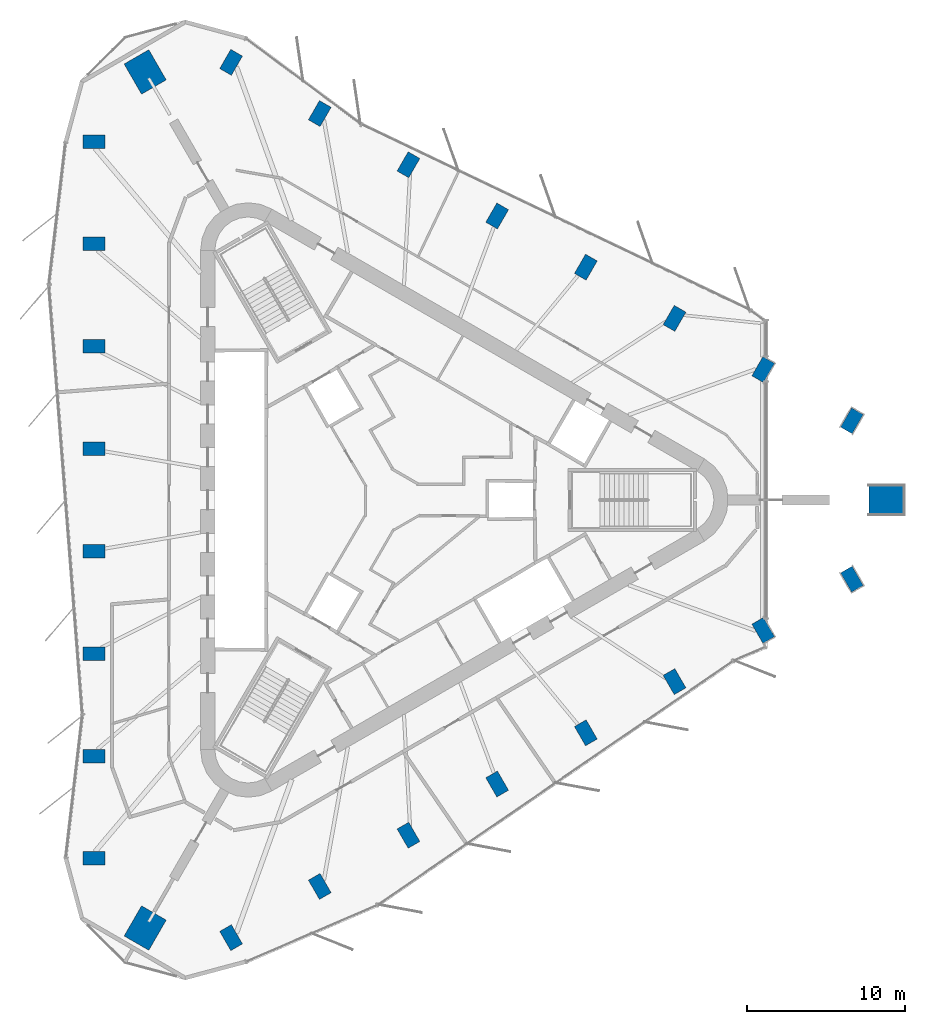
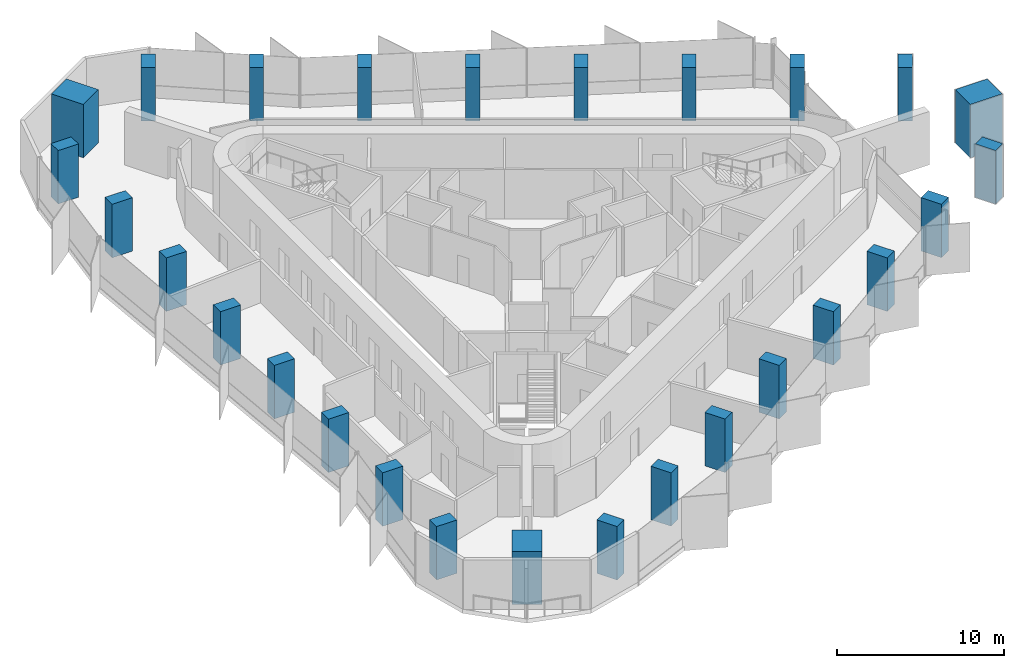
# One storey, part 1 of 12: 27 columns.
"""IFC4 building model written with IfcOpenShell, lengths in metres."""

from ifc_helpers import new_model, si_unit, direction, frame, origin, origin_2d, place, context, subcontext, project, spatial, rectangle, extrude, material, material_profile, profile_set, type_object, element, save


model = new_model("IFC4")

# Units and contexts
model_context = context("Model", 3, precision=1e-05, world=origin(), true_north=direction((0.0, 1.0)))
body_context = subcontext(model_context, "Body", "Model", "MODEL_VIEW")
ifc_project = project(units=[si_unit("LENGTHUNIT", "METRE"), si_unit("AREAUNIT", "SQUARE_METRE"), si_unit("VOLUMEUNIT", "CUBIC_METRE"), si_unit("PLANEANGLEUNIT", "RADIAN"), si_unit("MASSUNIT", "GRAM", prefix="KILO")], contexts=[model_context])

# Site, building, storey
site_placement = place(None, origin())
site = spatial("IfcSite", under=ifc_project, at=site_placement, CompositionType="ELEMENT")
building_placement = place(site_placement, origin())
building = spatial("IfcBuilding", under=site, at=building_placement, Name="Tanit Gate Tower", CompositionType="ELEMENT")
storey_placement = place(building_placement, frame((0.0, 0.0, 380.60009765625)))
storey = spatial("IfcBuildingStorey", under=building, at=storey_placement, Name="L87", CompositionType="ELEMENT", Elevation=380.60009765625)

# Columns
ifc_material_1 = material(Name="Concrete C50/60", Category="concrete")
ifc_material_profile_1 = material_profile(ifc_material_1, rectangle(XDim=2.199951171875, YDim=1.800048828125, at=origin_2d()), Name="RC 2200x1800")
ifc_profile_set_1 = profile_set([ifc_material_profile_1], Name="Concrete C50/60")
column_type_1 = type_object("IfcColumnType", Name="MEGA COLUMN 2200x1800 C50/60", PredefinedType="COLUMN", material=ifc_profile_set_1)
for number, where, z_axis, x_axis, name in (
    (1, (31.19580078125, 0.0, 0.0), (0.0, 0.0, 1.0), (1.0, 0.0, 0.0), "MEGA COLUMN"),
    (2, (-15.597900390625, 27.016357421875, 0.0), (0.0, 0.0, 1.0), (-0.5, 0.866025403784, 0.0), "MEGA COLUMN"),
    (3, (-15.597900390625, -27.016357421875, 0.0), (0.0, 0.0, 1.0), (-0.5, -0.866025403784, 0.0), "MEGA COLUMN"),
):
    element("IfcColumn", number, at=place(storey_placement, frame(where, z_axis=z_axis, x_axis=x_axis)), inside=storey, type_object=column_type_1, Name=name, PredefinedType="COLUMN", context=body_context, shape_type="SweptSolid", body=[
        extrude(rectangle(XDim=2.199951171875, YDim=1.800048828125, at=origin_2d()), origin(), (0.0, 0.0, 1.0), 3.89990234375),
    ])
ifc_material_2 = material(Name="Concrete C40/50", Category="concrete")
ifc_material_profile_2 = material_profile(ifc_material_2, rectangle(XDim=1.39990234375, YDim=0.85009765625, at=origin_2d()), Name="RC 1400x850")
ifc_profile_set_2 = profile_set([ifc_material_profile_2], Name="Concrete C40/50")
column_type_2 = type_object("IfcColumnType", Name="PERIMETER COLUMN 1400x850 C40/50", PredefinedType="COLUMN", material=ifc_profile_set_2)
for number, where, z_axis, x_axis, name in (
    (4, (-18.833984375, 22.62353515625, 0.0), (0.0, 0.0, 1.0), (-1.0, 0.0, 0.0), "PERIMETER COLUMN"),
    (5, (-18.833984375, 16.15966796875, 0.0), (0.0, 0.0, 1.0), (-1.0, 0.0, 0.0), "PERIMETER COLUMN"),
    (6, (-18.833984375, 9.69580078125, 0.0), (0.0, 0.0, 1.0), (-1.0, 0.0, 0.0), "PERIMETER COLUMN"),
    (7, (-18.833984375, 3.23193359375, 0.0), (0.0, 0.0, 1.0), (-1.0, 0.0, 0.0), "PERIMETER COLUMN"),
    (8, (-18.833984375, -3.23193359375, 0.0), (0.0, 0.0, 1.0), (-1.0, 0.0, 0.0), "PERIMETER COLUMN"),
    (9, (-18.833984375, -9.69580078125, 0.0), (0.0, 0.0, 1.0), (-1.0, 0.0, 0.0), "PERIMETER COLUMN"),
    (10, (-18.833984375, -16.15966796875, 0.0), (0.0, 0.0, 1.0), (-1.0, 0.0, 0.0), "PERIMETER COLUMN"),
    (11, (-18.833984375, -22.62353515625, 0.0), (0.0, 0.0, 1.0), (-1.0, 0.0, 0.0), "PERIMETER COLUMN"),
    (12, (29.009521484375, 4.998779296875, 0.0), (0.0, 0.0, 1.0), (0.5, 0.866025403784, 0.0), "PERIMETER COLUMN"),
    (13, (23.41162109375, 8.230712890625, 0.0), (0.0, 0.0, 1.0), (0.5, 0.866025403784, 0.0), "PERIMETER COLUMN"),
    (14, (17.813720703125, 11.462890625, 0.0), (0.0, 0.0, 1.0), (0.5, 0.866025403784, 0.0), "PERIMETER COLUMN"),
    (15, (12.2158203125, 14.694580078125, 0.0), (0.0, 0.0, 1.0), (0.5, 0.866025403784, 0.0), "PERIMETER COLUMN"),
    (16, (6.617919921875, 17.9267578125, 0.0), (0.0, 0.0, 1.0), (0.5, 0.866025403784, 0.0), "PERIMETER COLUMN"),
    (17, (1.02001953125, 21.15869140625, 0.0), (0.0, 0.0, 1.0), (0.5, 0.866025403784, 0.0), "PERIMETER COLUMN"),
    (18, (-4.577880859375, 24.390625, 0.0), (0.0, 0.0, 1.0), (0.5, 0.866025403784, 0.0), "PERIMETER COLUMN"),
    (19, (-10.17578125, 27.62255859375, 0.0), (0.0, 0.0, 1.0), (0.5, 0.866025403784, 0.0), "PERIMETER COLUMN"),
    (20, (-10.17578125, -27.62255859375, 0.0), (0.0, 0.0, 1.0), (0.5, -0.866025403784, 0.0), "PERIMETER COLUMN"),
    (21, (-4.577880859375, -24.390625, 0.0), (0.0, 0.0, 1.0), (0.5, -0.866025403784, 0.0), "PERIMETER COLUMN"),
    (22, (1.02001953125, -21.15869140625, 0.0), (0.0, 0.0, 1.0), (0.5, -0.866025403784, 0.0), "PERIMETER COLUMN"),
    (23, (6.617919921875, -17.9267578125, 0.0), (0.0, 0.0, 1.0), (0.5, -0.866025403784, 0.0), "PERIMETER COLUMN"),
    (24, (12.2158203125, -14.694580078125, 0.0), (0.0, 0.0, 1.0), (0.5, -0.866025403784, 0.0), "PERIMETER COLUMN"),
    (25, (17.813720703125, -11.462890625, 0.0), (0.0, 0.0, 1.0), (0.5, -0.866025403784, 0.0), "PERIMETER COLUMN"),
    (26, (23.41162109375, -8.230712890625, 0.0), (0.0, 0.0, 1.0), (0.5, -0.866025403784, 0.0), "PERIMETER COLUMN"),
    (27, (29.009521484375, -4.998779296875, 0.0), (0.0, 0.0, 1.0), (0.5, -0.866025403784, 0.0), "PERIMETER COLUMN"),
):
    element("IfcColumn", number, at=place(storey_placement, frame(where, z_axis=z_axis, x_axis=x_axis)), inside=storey, type_object=column_type_2, Name=name, PredefinedType="COLUMN", context=body_context, shape_type="SweptSolid", body=[
        extrude(rectangle(XDim=1.39990234375, YDim=0.85009765625, at=origin_2d()), origin(), (0.0, 0.0, 1.0), 3.89990234375),
    ])

save(model, "model.ifc")
